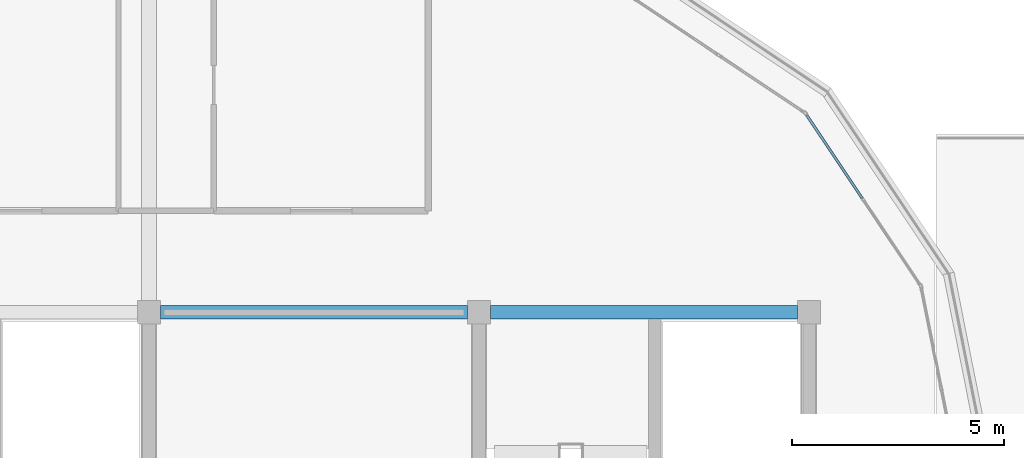
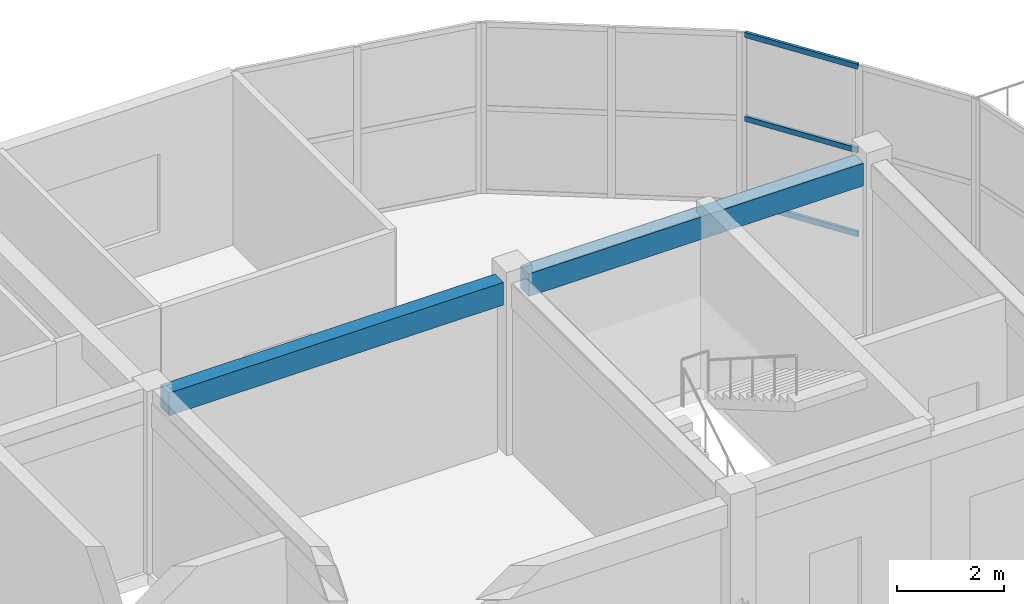
# One storey, part 18 of 33: 3 members, 2 beams, 1 element without a shape of its own.
"""IFC4 building model written with IfcOpenShell, lengths in metres."""

from ifc_helpers import new_model, si_unit, direction, frame, origin, origin_2d, place, context, subcontext, project, spatial, rectangle, hollow_rectangle, extrude, material, layer, layer_set, material_profile, profile_set, type_object, element, aggregate, save


model = new_model("IFC4")

# Units and contexts
model_context = context("Model", 3, precision=1e-05, world=origin(), true_north=direction((0.0, 1.0)))
body_context = subcontext(model_context, "Body", "Model", "MODEL_VIEW")
ifc_project = project(units=[si_unit("LENGTHUNIT", "METRE"), si_unit("AREAUNIT", "SQUARE_METRE"), si_unit("VOLUMEUNIT", "CUBIC_METRE"), si_unit("PLANEANGLEUNIT", "RADIAN"), si_unit("MASSUNIT", "GRAM", prefix="KILO")], contexts=[model_context])

# Site, building, storey
site_placement = place(None, origin())
site = spatial("IfcSite", under=ifc_project, at=site_placement, CompositionType="ELEMENT")
building_placement = place(site_placement, origin())
building = spatial("IfcBuilding", under=site, at=building_placement, Name="Zizhar Promenade General Hospital", CompositionType="ELEMENT")
storey_placement = place(building_placement, frame((0.0, 0.0, 39.0)))
storey = spatial("IfcBuildingStorey", under=building, at=storey_placement, Name="L09", CompositionType="ELEMENT", Elevation=39.0)

# Beams
ifc_material_1 = material(Name="Concrete C35/45", Category="concrete")
ifc_material_profile_1 = material_profile(ifc_material_1, rectangle(XDim=0.320068359375, YDim=0.52001953125, at=origin_2d()))
ifc_profile_set_1 = profile_set([ifc_material_profile_1], Name="Concrete C35/45")
beam_type = type_object("IfcBeamType", Name="BM-RC-320x520", PredefinedType="LINTEL", material=ifc_profile_set_1)
for number, where, z_axis, x_axis, name in (
    (1, (86.074951171875, 16.800048828125, 3.64990234375), (1.0, 0.0, 0.0), (0.0, 1.0, 0.0), "Grid Beam X L09 (11-2)"),
    (2, (93.875, 16.800048828125, 3.64990234375), (1.0, 0.0, 0.0), (0.0, 1.0, 0.0), "Grid Beam X L09 (12-2)"),
):
    element("IfcBeam", number, at=place(storey_placement, frame(where, z_axis=z_axis, x_axis=x_axis)), inside=storey, type_object=beam_type, Name=name, PredefinedType="LINTEL", context=body_context, shape_type="SweptSolid", body=[
        extrude(rectangle(XDim=0.320068359375, YDim=0.52001953125, at=origin_2d()), origin(), (0.0, 0.0, 1.0), 7.25),
    ])

# Curtain wall, members
ifc_material_2 = material(Name="Anodised aluminium 6063-T6 and low-E glass", Category="aluminium")
ifc_layer = layer(ifc_material_2, 0.159912109375)
ifc_layer_set = layer_set([ifc_layer], Name="Anodised aluminium 6063-T6 and low-E glass")
curtain_wall_type = type_object("IfcCurtainWallType", Name="CW-WARD-ARC", PredefinedType="NOTDEFINED", material=ifc_layer_set)
curtain_wall_placement = place(storey_placement, origin())
curtain_wall = element("IfcCurtainWall", 3, at=curtain_wall_placement, inside=storey, type_object=curtain_wall_type, Name="Ward Semicircular End Glazing L09-06", PredefinedType="NOTDEFINED")
ifc_material_3 = material(Name="Anodised aluminium 6063-T6", Category="aluminium")
ifc_material_profile_2 = material_profile(ifc_material_3, hollow_rectangle(XDim=0.06005859375, YDim=0.1201171875, WallThickness=0.00390625, at=origin_2d()))
ifc_profile_set_2 = profile_set([ifc_material_profile_2], Name="Anodised aluminium 6063-T6")
member_type = type_object("IfcMemberType", Name="CWT-ALU-120x60", PredefinedType="USERDEFINED", material=ifc_profile_set_2)
member_1_placement = place(storey_placement, frame((101.3427734375, 21.459716796875, 0.030029296875), z_axis=(0.555532539312, -0.831494797197, 0.0), x_axis=(0.831494797197, 0.555532539312, 0.0)))
member_1 = element("IfcMember", 4, at=member_1_placement, type_object=member_type, Name="CW-12 transom 1.1", ObjectType="TRANSOM", PredefinedType="USERDEFINED", context=body_context, shape_type="SweptSolid", body=[
    extrude(hollow_rectangle(XDim=0.06005859375, YDim=0.1201171875, WallThickness=0.00390625, at=origin_2d()), origin(), (0.0, 0.0, 1.0), 2.368408203125),
])
member_2_placement = place(storey_placement, frame((101.3427734375, 21.459716796875, 1.949951171875), z_axis=(0.555532539312, -0.831494797197, 0.0), x_axis=(0.831494797197, 0.555532539312, 0.0)))
member_2 = element("IfcMember", 5, at=member_2_placement, type_object=member_type, Name="CW-12 transom 1.2", ObjectType="TRANSOM", PredefinedType="USERDEFINED", context=body_context, shape_type="SweptSolid", body=[
    extrude(hollow_rectangle(XDim=0.06005859375, YDim=0.1201171875, WallThickness=0.00390625, at=origin_2d()), origin(), (0.0, 0.0, 1.0), 2.368408203125),
])
member_3_placement = place(storey_placement, frame((101.3427734375, 21.459716796875, 3.8701171875), z_axis=(0.555532539312, -0.831494797197, 0.0), x_axis=(0.831494797197, 0.555532539312, 0.0)))
member_3 = element("IfcMember", 6, at=member_3_placement, type_object=member_type, Name="CW-12 transom 1.3", ObjectType="TRANSOM", PredefinedType="USERDEFINED", context=body_context, shape_type="SweptSolid", body=[
    extrude(hollow_rectangle(XDim=0.06005859375, YDim=0.1201171875, WallThickness=0.00390625, at=origin_2d()), origin(), (0.0, 0.0, 1.0), 2.368408203125),
])
aggregate(curtain_wall, [member_1, member_2, member_3])

save(model, "model.ifc")
